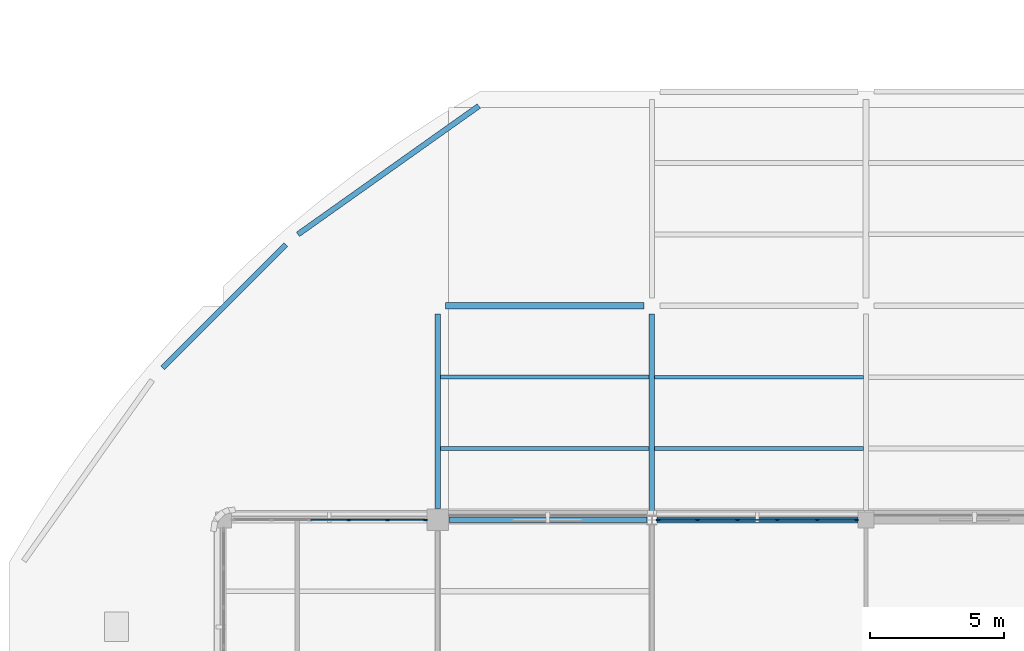
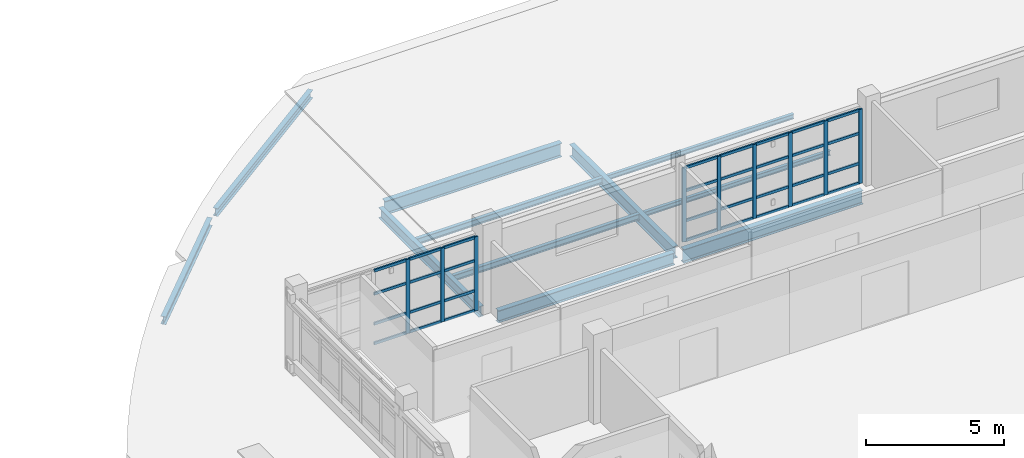
# One storey, part 40 of 126: 41 members, 11 beams, 2 elements without a shape of their own.
"""IFC4 building model written with IfcOpenShell, lengths in metres."""

from ifc_helpers import new_model, si_unit, derived_unit, direction, frame, origin, origin_2d, place, context, subcontext, project, spatial, rectangle, i_section, extrude, material, layer, layer_set, material_profile, profile_set, type_object, element, aggregate, save


model = new_model("IFC4")

# Units and contexts
model_context = context("Model", 3, precision=1e-05, world=origin(), true_north=direction((0.0, 1.0)))
body_context = subcontext(model_context, "Body", "Model", "MODEL_VIEW")
ifc_project = project(units=[si_unit("LENGTHUNIT", "METRE"), si_unit("AREAUNIT", "SQUARE_METRE"), si_unit("VOLUMEUNIT", "CUBIC_METRE"), si_unit("PLANEANGLEUNIT", "RADIAN"), si_unit("MASSUNIT", "GRAM", prefix="KILO"), derived_unit("THERMALTRANSMITTANCEUNIT", [(si_unit("MASSUNIT", "GRAM", prefix="KILO"), 1), (si_unit("TIMEUNIT", "SECOND"), -3), (si_unit("THERMODYNAMICTEMPERATUREUNIT", "KELVIN"), -1)])], contexts=[model_context])

# Site, building, storey
site_placement = place(None, origin())
site = spatial("IfcSite", under=ifc_project, at=site_placement, CompositionType="ELEMENT")
building_placement = place(site_placement, origin())
building = spatial("IfcBuilding", under=site, at=building_placement, Name="Veyamyaing Civic Hall", CompositionType="ELEMENT")
storey_placement = place(building_placement, frame((0.0, 0.0, 9.89990234375)))
storey = spatial("IfcBuildingStorey", under=building, at=storey_placement, Name="L02", CompositionType="ELEMENT", Elevation=9.89990234375)

# Beams
ifc_material_1 = material(Name="Steel ASTM A992", Category="steel")
ifc_material_profile_1 = material_profile(ifc_material_1, i_section(OverallWidth=0.22802734375, OverallDepth=0.60791015625, WebThickness=0.01123046875, FlangeThickness=0.017333984375, FilletRadius=0.012939453125, at=origin_2d()), Name="W610X113")
ifc_profile_set_1 = profile_set([ifc_material_profile_1], Name="Steel ASTM A992")
beam_type_1 = type_object("IfcBeamType", Name="B-06", PredefinedType="BEAM", material=ifc_profile_set_1)
beam_1_placement = place(storey_placement, frame((80.18701171875, 80.0, -0.5888671875), z_axis=(1.0, 0.0, 0.0), x_axis=(0.0, 1.0, 0.0)))
element("IfcBeam", 1, at=beam_1_placement, inside=storey, type_object=beam_type_1, Name="Girder B-06 L02 Grid L 11-12", PredefinedType="BEAM", context=body_context, shape_type="SweptSolid", body=[
    extrude(i_section(OverallWidth=0.22802734375, OverallDepth=0.60791015625, WebThickness=0.01123046875, FlangeThickness=0.017333984375, FilletRadius=0.012939453125, at=origin_2d()), origin(), (0.0, 0.0, 1.0), 7.512939453125),
])
beam_2_placement = place(storey_placement, frame((72.300048828125, 88.0, -0.5439453125), z_axis=(1.0, 0.0, 0.0), x_axis=(0.0, 1.0, 0.0)))
element("IfcBeam", 2, at=beam_2_placement, inside=storey, type_object=beam_type_1, Name="Girder B-06 L02 Grid M 10-11", PredefinedType="BEAM", context=body_context, shape_type="SweptSolid", body=[
    extrude(i_section(OverallWidth=0.22802734375, OverallDepth=0.60791015625, WebThickness=0.01123046875, FlangeThickness=0.017333984375, FilletRadius=0.012939453125, at=origin_2d()), origin(), (0.0, 0.0, 1.0), 7.39990234375),
])
ifc_material_profile_2 = material_profile(ifc_material_1, i_section(OverallWidth=0.208984375, OverallDepth=0.532958984375, WebThickness=0.01025390625, FlangeThickness=0.015625, FilletRadius=0.011962890625, at=origin_2d()), Name="W530X92")
ifc_profile_set_2 = profile_set([ifc_material_profile_2], Name="Steel ASTM A992")
beam_type_2 = type_object("IfcBeamType", Name="B-07", PredefinedType="BEAM", material=ifc_profile_set_2)
beam_3_placement = place(storey_placement, frame((80.0, 80.18603515625, -0.50634765625), z_axis=(0.0, 1.0, 0.0), x_axis=(-1.0, 0.0, 0.0)))
element("IfcBeam", 3, at=beam_3_placement, inside=storey, type_object=beam_type_2, Name="Girder B-07 L02 Grid 11 L-M", PredefinedType="BEAM", context=body_context, shape_type="SweptSolid", body=[
    extrude(i_section(OverallWidth=0.208984375, OverallDepth=0.532958984375, WebThickness=0.01025390625, FlangeThickness=0.015625, FilletRadius=0.011962890625, at=origin_2d()), origin(), (0.0, 0.0, 1.0), 7.513916015625),
])
ifc_material_profile_3 = material_profile(ifc_material_1, i_section(OverallWidth=0.2041015625, OverallDepth=0.35009765625, WebThickness=0.0078125, FlangeThickness=0.01513671875, FilletRadius=0.010009765625, at=origin_2d()), Name="W360X72")
ifc_profile_set_3 = profile_set([ifc_material_profile_3], Name="Steel ASTM A992")
beam_type_3 = type_object("IfcBeamType", Name="B-11", PredefinedType="SPANDREL", material=ifc_profile_set_3)
beam_4_placement = place(storey_placement, frame((73.53466796875, 95.462646484375, -0.4599609375), z_axis=(-0.815567262109, -0.578662285773, 0.0), x_axis=(0.578662285773, -0.815567262109, 0.0)))
element("IfcBeam", 4, at=beam_4_placement, inside=storey, type_object=beam_type_3, Name="Curved corner spandrel B-11 L02 NW.1", PredefinedType="SPANDREL", context=body_context, shape_type="SweptSolid", body=[
    extrude(i_section(OverallWidth=0.2041015625, OverallDepth=0.35009765625, WebThickness=0.0078125, FlangeThickness=0.01513671875, FilletRadius=0.010009765625, at=origin_2d()), origin(), (0.0, 0.0, 1.0), 8.284423828125),
])
beam_5_placement = place(storey_placement, frame((66.3212890625, 90.282958984375, -0.4599609375), z_axis=(-0.707106781187, -0.707106781187, 0.0), x_axis=(0.707106781187, -0.707106781187, 0.0)))
element("IfcBeam", 5, at=beam_5_placement, inside=storey, type_object=beam_type_3, Name="Curved corner spandrel B-11 L02 NW.2", PredefinedType="SPANDREL", context=body_context, shape_type="SweptSolid", body=[
    extrude(i_section(OverallWidth=0.2041015625, OverallDepth=0.35009765625, WebThickness=0.0078125, FlangeThickness=0.01513671875, FilletRadius=0.010009765625, at=origin_2d()), origin(), (0.0, 0.0, 1.0), 6.511474609375),
])
ifc_material_profile_4 = material_profile(ifc_material_1, i_section(OverallWidth=0.2109375, OverallDepth=0.5390625, WebThickness=0.01171875, FlangeThickness=0.018798828125, FilletRadius=0.011962890625, at=origin_2d()), Name="W530X109")
ifc_profile_set_4 = profile_set([ifc_material_profile_4], Name="Steel ASTM A992")
beam_type_4 = type_object("IfcBeamType", Name="B-17", PredefinedType="BEAM", material=ifc_profile_set_4)
beam_6_placement = place(storey_placement, frame((72.425048828125, 80.0, -0.554443359375), z_axis=(1.0, 0.0, 0.0), x_axis=(0.0, 1.0, 0.0)))
element("IfcBeam", 6, at=beam_6_placement, inside=storey, type_object=beam_type_4, Name="Girder B-17 L02 Grid L 10-11", PredefinedType="BEAM", context=body_context, shape_type="SweptSolid", body=[
    extrude(i_section(OverallWidth=0.2109375, OverallDepth=0.5390625, WebThickness=0.01171875, FlangeThickness=0.018798828125, FilletRadius=0.011962890625, at=origin_2d()), origin(), (0.0, 0.0, 1.0), 7.387939453125),
])
ifc_material_profile_5 = material_profile(ifc_material_1, i_section(OverallWidth=0.194091796875, OverallDepth=0.468994140625, WebThickness=0.0126953125, FlangeThickness=0.0205078125, FilletRadius=0.010009765625, at=origin_2d()), Name="W460X106")
ifc_profile_set_5 = profile_set([ifc_material_profile_5], Name="Steel ASTM A992")
beam_type_5 = type_object("IfcBeamType", Name="B-18", PredefinedType="BEAM", material=ifc_profile_set_5)
beam_7_placement = place(storey_placement, frame((72.0, 80.425048828125, -0.474365234375), z_axis=(0.0, 1.0, 0.0), x_axis=(-1.0, 0.0, 0.0)))
element("IfcBeam", 7, at=beam_7_placement, inside=storey, type_object=beam_type_5, Name="Girder B-18 L02 Grid 10 L-M", PredefinedType="BEAM", context=body_context, shape_type="SweptSolid", body=[
    extrude(i_section(OverallWidth=0.194091796875, OverallDepth=0.468994140625, WebThickness=0.0126953125, FlangeThickness=0.0205078125, FilletRadius=0.010009765625, at=origin_2d()), origin(), (0.0, 0.0, 1.0), 7.27490234375),
])

# Curtain wall, members
ifc_material_2 = material(Name="Anodised aluminium 6063-T6", Category="aluminium")
ifc_layer = layer(ifc_material_2, 0.159912109375, Name="Anodised aluminium 6063-T6")
ifc_layer_set = layer_set([ifc_layer], Name="Anodised aluminium 6063-T6")
curtain_wall_type = type_object("IfcCurtainWallType", Name="CW-03", PredefinedType="NOTDEFINED", material=ifc_layer_set)
curtain_wall_1_placement = place(storey_placement, origin())
curtain_wall_1 = element("IfcCurtainWall", 8, at=curtain_wall_1_placement, inside=storey, type_object=curtain_wall_type, Name="Unitized curtain wall CW-03 L02 N 9.10", PredefinedType="NOTDEFINED")
ifc_material_profile_6 = material_profile(ifc_material_2, rectangle(XDim=0.06494140625, YDim=0.159912109375, at=origin_2d()), Name="ALU-MUL-65X160")
ifc_profile_set_6 = profile_set([ifc_material_profile_6], Name="Anodised aluminium 6063-T6")
member_type_1 = type_object("IfcMemberType", Name="CWM-01", PredefinedType="MULLION", material=ifc_profile_set_6)
member_1_placement = place(storey_placement, frame((68.674072265625, 80.0, 0.0), z_axis=(0.0, 0.0, 1.0), x_axis=(0.0, 1.0, 0.0)))
member_1 = element("IfcMember", 9, at=member_1_placement, type_object=member_type_1, Name="CW-03 mullion 4", PredefinedType="MULLION", context=body_context, shape_type="SweptSolid", body=[
    extrude(rectangle(XDim=0.06494140625, YDim=0.159912109375, at=origin_2d()), origin(), (0.0, 0.0, 1.0), 3.280029296875),
])
member_2_placement = place(storey_placement, frame((70.1220703125, 80.0, 0.0), z_axis=(0.0, 0.0, 1.0), x_axis=(0.0, 1.0, 0.0)))
member_2 = element("IfcMember", 10, at=member_2_placement, type_object=member_type_1, Name="CW-03 mullion 5", PredefinedType="MULLION", context=body_context, shape_type="SweptSolid", body=[
    extrude(rectangle(XDim=0.06494140625, YDim=0.159912109375, at=origin_2d()), origin(), (0.0, 0.0, 1.0), 3.280029296875),
])
member_3_placement = place(storey_placement, frame((71.53759765625, 80.0, 0.0), z_axis=(0.0, 0.0, 1.0), x_axis=(0.0, 1.0, 0.0)))
member_3 = element("IfcMember", 11, at=member_3_placement, type_object=member_type_1, Name="CW-03 mullion 6", PredefinedType="MULLION", context=body_context, shape_type="SweptSolid", body=[
    extrude(rectangle(XDim=0.06494140625, YDim=0.159912109375, at=origin_2d()), origin(), (0.0, 0.0, 1.0), 3.280029296875),
])

curtain_wall_2_placement = place(storey_placement, origin())
curtain_wall_2 = element("IfcCurtainWall", 12, at=curtain_wall_2_placement, inside=storey, type_object=curtain_wall_type, Name="Unitized curtain wall CW-03 L02 N 11.10", PredefinedType="NOTDEFINED")
member_4_placement = place(storey_placement, frame((80.248046875, 80.0, 0.0), z_axis=(0.0, 0.0, 1.0), x_axis=(0.0, 1.0, 0.0)))
member_4 = element("IfcMember", 13, at=member_4_placement, type_object=member_type_1, Name="CW-03 mullion 1", PredefinedType="MULLION", context=body_context, shape_type="SweptSolid", body=[
    extrude(rectangle(XDim=0.06494140625, YDim=0.159912109375, at=origin_2d()), origin(), (0.0, 0.0, 1.0), 3.2841796875),
])
member_5_placement = place(storey_placement, frame((81.706298828125, 80.0, 0.0), z_axis=(0.0, 0.0, 1.0), x_axis=(0.0, 1.0, 0.0)))
member_5 = element("IfcMember", 14, at=member_5_placement, type_object=member_type_1, Name="CW-03 mullion 2", PredefinedType="MULLION", context=body_context, shape_type="SweptSolid", body=[
    extrude(rectangle(XDim=0.06494140625, YDim=0.159912109375, at=origin_2d()), origin(), (0.0, 0.0, 1.0), 3.2841796875),
])
member_6_placement = place(storey_placement, frame((83.197265625, 80.0, 0.0), z_axis=(0.0, 0.0, 1.0), x_axis=(0.0, 1.0, 0.0)))
member_6 = element("IfcMember", 15, at=member_6_placement, type_object=member_type_1, Name="CW-03 mullion 3", PredefinedType="MULLION", context=body_context, shape_type="SweptSolid", body=[
    extrude(rectangle(XDim=0.06494140625, YDim=0.159912109375, at=origin_2d()), origin(), (0.0, 0.0, 1.0), 3.2841796875),
])
member_7_placement = place(storey_placement, frame((84.688232421875, 80.0, 0.0), z_axis=(0.0, 0.0, 1.0), x_axis=(0.0, 1.0, 0.0)))
member_7 = element("IfcMember", 16, at=member_7_placement, type_object=member_type_1, Name="CW-03 mullion 4", PredefinedType="MULLION", context=body_context, shape_type="SweptSolid", body=[
    extrude(rectangle(XDim=0.06494140625, YDim=0.159912109375, at=origin_2d()), origin(), (0.0, 0.0, 1.0), 3.2841796875),
])
member_8_placement = place(storey_placement, frame((86.17919921875, 80.0, 0.0), z_axis=(0.0, 0.0, 1.0), x_axis=(0.0, 1.0, 0.0)))
member_8 = element("IfcMember", 17, at=member_8_placement, type_object=member_type_1, Name="CW-03 mullion 5", PredefinedType="MULLION", context=body_context, shape_type="SweptSolid", body=[
    extrude(rectangle(XDim=0.06494140625, YDim=0.159912109375, at=origin_2d()), origin(), (0.0, 0.0, 1.0), 3.2841796875),
])
member_9_placement = place(storey_placement, frame((87.637451171875, 80.0, 0.0), z_axis=(0.0, 0.0, 1.0), x_axis=(0.0, 1.0, 0.0)))
member_9 = element("IfcMember", 18, at=member_9_placement, type_object=member_type_1, Name="CW-03 mullion 6", PredefinedType="MULLION", context=body_context, shape_type="SweptSolid", body=[
    extrude(rectangle(XDim=0.06494140625, YDim=0.159912109375, at=origin_2d()), origin(), (0.0, 0.0, 1.0), 3.2841796875),
])

# Member
ifc_material_profile_7 = material_profile(ifc_material_2, rectangle(XDim=0.06494140625, YDim=0.1201171875, at=origin_2d()), Name="ALU-TRN-65X120")
ifc_profile_set_7 = profile_set([ifc_material_profile_7], Name="Anodised aluminium 6063-T6")
member_type_2 = type_object("IfcMemberType", Name="CWT-01", PredefinedType="USERDEFINED", material=ifc_profile_set_7)
member_10_placement = place(storey_placement, frame((67.258544921875, 80.0, 0.03271484375), z_axis=(1.0, 0.0, 0.0), x_axis=(0.0, 1.0, 0.0)))
member_10 = element("IfcMember", 19, at=member_10_placement, type_object=member_type_2, Name="CW-03 transom 3.1", ObjectType="TRANSOM", PredefinedType="USERDEFINED", context=body_context, shape_type="SweptSolid", body=[
    extrude(rectangle(XDim=0.06494140625, YDim=0.1201171875, at=origin_2d()), origin(), (0.0, 0.0, 1.0), 1.383056640625),
])

member_11_placement = place(storey_placement, frame((67.258544921875, 80.0, 0.900146484375), z_axis=(1.0, 0.0, 0.0), x_axis=(0.0, 1.0, 0.0)))
member_11 = element("IfcMember", 20, at=member_11_placement, type_object=member_type_2, Name="CW-03 transom 3.2", ObjectType="TRANSOM", PredefinedType="USERDEFINED", context=body_context, shape_type="SweptSolid", body=[
    extrude(rectangle(XDim=0.06494140625, YDim=0.1201171875, at=origin_2d()), origin(), (0.0, 0.0, 1.0), 1.383056640625),
])

member_12_placement = place(storey_placement, frame((67.258544921875, 80.0, 2.23046875), z_axis=(1.0, 0.0, 0.0), x_axis=(0.0, 1.0, 0.0)))
member_12 = element("IfcMember", 21, at=member_12_placement, type_object=member_type_2, Name="CW-03 transom 3.3", ObjectType="TRANSOM", PredefinedType="USERDEFINED", context=body_context, shape_type="SweptSolid", body=[
    extrude(rectangle(XDim=0.06494140625, YDim=0.1201171875, at=origin_2d()), origin(), (0.0, 0.0, 1.0), 1.383056640625),
])

member_13_placement = place(storey_placement, frame((67.258544921875, 80.0, 3.24755859375), z_axis=(1.0, 0.0, 0.0), x_axis=(0.0, 1.0, 0.0)))
member_13 = element("IfcMember", 22, at=member_13_placement, type_object=member_type_2, Name="CW-03 transom 3.4", ObjectType="TRANSOM", PredefinedType="USERDEFINED", context=body_context, shape_type="SweptSolid", body=[
    extrude(rectangle(XDim=0.06494140625, YDim=0.1201171875, at=origin_2d()), origin(), (0.0, 0.0, 1.0), 1.383056640625),
])

member_14_placement = place(storey_placement, frame((68.70654296875, 80.0, 0.03271484375), z_axis=(1.0, 0.0, 0.0), x_axis=(0.0, 1.0, 0.0)))
member_14 = element("IfcMember", 23, at=member_14_placement, type_object=member_type_2, Name="CW-03 transom 4.1", ObjectType="TRANSOM", PredefinedType="USERDEFINED", context=body_context, shape_type="SweptSolid", body=[
    extrude(rectangle(XDim=0.06494140625, YDim=0.1201171875, at=origin_2d()), origin(), (0.0, 0.0, 1.0), 1.383056640625),
])

member_15_placement = place(storey_placement, frame((68.70654296875, 80.0, 0.900146484375), z_axis=(1.0, 0.0, 0.0), x_axis=(0.0, 1.0, 0.0)))
member_15 = element("IfcMember", 24, at=member_15_placement, type_object=member_type_2, Name="CW-03 transom 4.2", ObjectType="TRANSOM", PredefinedType="USERDEFINED", context=body_context, shape_type="SweptSolid", body=[
    extrude(rectangle(XDim=0.06494140625, YDim=0.1201171875, at=origin_2d()), origin(), (0.0, 0.0, 1.0), 1.383056640625),
])

member_16_placement = place(storey_placement, frame((68.70654296875, 80.0, 2.23046875), z_axis=(1.0, 0.0, 0.0), x_axis=(0.0, 1.0, 0.0)))
member_16 = element("IfcMember", 25, at=member_16_placement, type_object=member_type_2, Name="CW-03 transom 4.3", ObjectType="TRANSOM", PredefinedType="USERDEFINED", context=body_context, shape_type="SweptSolid", body=[
    extrude(rectangle(XDim=0.06494140625, YDim=0.1201171875, at=origin_2d()), origin(), (0.0, 0.0, 1.0), 1.383056640625),
])

member_17_placement = place(storey_placement, frame((68.70654296875, 80.0, 3.24755859375), z_axis=(1.0, 0.0, 0.0), x_axis=(0.0, 1.0, 0.0)))
member_17 = element("IfcMember", 26, at=member_17_placement, type_object=member_type_2, Name="CW-03 transom 4.4", ObjectType="TRANSOM", PredefinedType="USERDEFINED", context=body_context, shape_type="SweptSolid", body=[
    extrude(rectangle(XDim=0.06494140625, YDim=0.1201171875, at=origin_2d()), origin(), (0.0, 0.0, 1.0), 1.383056640625),
])

member_18_placement = place(storey_placement, frame((70.154541015625, 80.0, 0.03271484375), z_axis=(1.0, 0.0, 0.0), x_axis=(0.0, 1.0, 0.0)))
member_18 = element("IfcMember", 27, at=member_18_placement, type_object=member_type_2, Name="CW-03 transom 5.1", ObjectType="TRANSOM", PredefinedType="USERDEFINED", context=body_context, shape_type="SweptSolid", body=[
    extrude(rectangle(XDim=0.06494140625, YDim=0.1201171875, at=origin_2d()), origin(), (0.0, 0.0, 1.0), 1.350341796875),
])

member_19_placement = place(storey_placement, frame((70.154541015625, 80.0, 0.900146484375), z_axis=(1.0, 0.0, 0.0), x_axis=(0.0, 1.0, 0.0)))
member_19 = element("IfcMember", 28, at=member_19_placement, type_object=member_type_2, Name="CW-03 transom 5.2", ObjectType="TRANSOM", PredefinedType="USERDEFINED", context=body_context, shape_type="SweptSolid", body=[
    extrude(rectangle(XDim=0.06494140625, YDim=0.1201171875, at=origin_2d()), origin(), (0.0, 0.0, 1.0), 1.350341796875),
])

member_20_placement = place(storey_placement, frame((70.154541015625, 80.0, 2.23046875), z_axis=(1.0, 0.0, 0.0), x_axis=(0.0, 1.0, 0.0)))
member_20 = element("IfcMember", 29, at=member_20_placement, type_object=member_type_2, Name="CW-03 transom 5.3", ObjectType="TRANSOM", PredefinedType="USERDEFINED", context=body_context, shape_type="SweptSolid", body=[
    extrude(rectangle(XDim=0.06494140625, YDim=0.1201171875, at=origin_2d()), origin(), (0.0, 0.0, 1.0), 1.350341796875),
])

member_21_placement = place(storey_placement, frame((70.154541015625, 80.0, 3.24755859375), z_axis=(1.0, 0.0, 0.0), x_axis=(0.0, 1.0, 0.0)))
member_21 = element("IfcMember", 30, at=member_21_placement, type_object=member_type_2, Name="CW-03 transom 5.4", ObjectType="TRANSOM", PredefinedType="USERDEFINED", context=body_context, shape_type="SweptSolid", body=[
    extrude(rectangle(XDim=0.06494140625, YDim=0.1201171875, at=origin_2d()), origin(), (0.0, 0.0, 1.0), 1.350341796875),
])

aggregate(curtain_wall_1, [member_1, member_2, member_3, member_10, member_11, member_12, member_13, member_14, member_15, member_16, member_17, member_18, member_19, member_20, member_21])

member_22_placement = place(storey_placement, frame((80.280517578125, 80.0, 0.03271484375), z_axis=(1.0, 0.0, 0.0), x_axis=(0.0, 1.0, 0.0)))
member_22 = element("IfcMember", 31, at=member_22_placement, type_object=member_type_2, Name="CW-03 transom 1.1", ObjectType="TRANSOM", PredefinedType="USERDEFINED", context=body_context, shape_type="SweptSolid", body=[
    extrude(rectangle(XDim=0.06494140625, YDim=0.1201171875, at=origin_2d()), origin(), (0.0, 0.0, 1.0), 1.393310546875),
])

member_23_placement = place(storey_placement, frame((80.280517578125, 80.0, 0.900146484375), z_axis=(1.0, 0.0, 0.0), x_axis=(0.0, 1.0, 0.0)))
member_23 = element("IfcMember", 32, at=member_23_placement, type_object=member_type_2, Name="CW-03 transom 1.2", ObjectType="TRANSOM", PredefinedType="USERDEFINED", context=body_context, shape_type="SweptSolid", body=[
    extrude(rectangle(XDim=0.06494140625, YDim=0.1201171875, at=origin_2d()), origin(), (0.0, 0.0, 1.0), 1.393310546875),
])

member_24_placement = place(storey_placement, frame((80.280517578125, 80.0, 2.233154296875), z_axis=(1.0, 0.0, 0.0), x_axis=(0.0, 1.0, 0.0)))
member_24 = element("IfcMember", 33, at=member_24_placement, type_object=member_type_2, Name="CW-03 transom 1.3", ObjectType="TRANSOM", PredefinedType="USERDEFINED", context=body_context, shape_type="SweptSolid", body=[
    extrude(rectangle(XDim=0.06494140625, YDim=0.1201171875, at=origin_2d()), origin(), (0.0, 0.0, 1.0), 1.393310546875),
])

member_25_placement = place(storey_placement, frame((80.280517578125, 80.0, 3.251708984375), z_axis=(1.0, 0.0, 0.0), x_axis=(0.0, 1.0, 0.0)))
member_25 = element("IfcMember", 34, at=member_25_placement, type_object=member_type_2, Name="CW-03 transom 1.4", ObjectType="TRANSOM", PredefinedType="USERDEFINED", context=body_context, shape_type="SweptSolid", body=[
    extrude(rectangle(XDim=0.06494140625, YDim=0.1201171875, at=origin_2d()), origin(), (0.0, 0.0, 1.0), 1.393310546875),
])

member_26_placement = place(storey_placement, frame((81.739013671875, 80.0, 0.03271484375), z_axis=(1.0, 0.0, 0.0), x_axis=(0.0, 1.0, 0.0)))
member_26 = element("IfcMember", 35, at=member_26_placement, type_object=member_type_2, Name="CW-03 transom 2.1", ObjectType="TRANSOM", PredefinedType="USERDEFINED", context=body_context, shape_type="SweptSolid", body=[
    extrude(rectangle(XDim=0.06494140625, YDim=0.1201171875, at=origin_2d()), origin(), (0.0, 0.0, 1.0), 1.42578125),
])

member_27_placement = place(storey_placement, frame((81.739013671875, 80.0, 0.900146484375), z_axis=(1.0, 0.0, 0.0), x_axis=(0.0, 1.0, 0.0)))
member_27 = element("IfcMember", 36, at=member_27_placement, type_object=member_type_2, Name="CW-03 transom 2.2", ObjectType="TRANSOM", PredefinedType="USERDEFINED", context=body_context, shape_type="SweptSolid", body=[
    extrude(rectangle(XDim=0.06494140625, YDim=0.1201171875, at=origin_2d()), origin(), (0.0, 0.0, 1.0), 1.42578125),
])

member_28_placement = place(storey_placement, frame((81.739013671875, 80.0, 2.233154296875), z_axis=(1.0, 0.0, 0.0), x_axis=(0.0, 1.0, 0.0)))
member_28 = element("IfcMember", 37, at=member_28_placement, type_object=member_type_2, Name="CW-03 transom 2.3", ObjectType="TRANSOM", PredefinedType="USERDEFINED", context=body_context, shape_type="SweptSolid", body=[
    extrude(rectangle(XDim=0.06494140625, YDim=0.1201171875, at=origin_2d()), origin(), (0.0, 0.0, 1.0), 1.42578125),
])

member_29_placement = place(storey_placement, frame((81.739013671875, 80.0, 3.251708984375), z_axis=(1.0, 0.0, 0.0), x_axis=(0.0, 1.0, 0.0)))
member_29 = element("IfcMember", 38, at=member_29_placement, type_object=member_type_2, Name="CW-03 transom 2.4", ObjectType="TRANSOM", PredefinedType="USERDEFINED", context=body_context, shape_type="SweptSolid", body=[
    extrude(rectangle(XDim=0.06494140625, YDim=0.1201171875, at=origin_2d()), origin(), (0.0, 0.0, 1.0), 1.42578125),
])

member_30_placement = place(storey_placement, frame((83.229736328125, 80.0, 0.03271484375), z_axis=(1.0, 0.0, 0.0), x_axis=(0.0, 1.0, 0.0)))
member_30 = element("IfcMember", 39, at=member_30_placement, type_object=member_type_2, Name="CW-03 transom 3.1", ObjectType="TRANSOM", PredefinedType="USERDEFINED", context=body_context, shape_type="SweptSolid", body=[
    extrude(rectangle(XDim=0.06494140625, YDim=0.1201171875, at=origin_2d()), origin(), (0.0, 0.0, 1.0), 1.426025390625),
])

member_31_placement = place(storey_placement, frame((83.229736328125, 80.0, 0.900146484375), z_axis=(1.0, 0.0, 0.0), x_axis=(0.0, 1.0, 0.0)))
member_31 = element("IfcMember", 40, at=member_31_placement, type_object=member_type_2, Name="CW-03 transom 3.2", ObjectType="TRANSOM", PredefinedType="USERDEFINED", context=body_context, shape_type="SweptSolid", body=[
    extrude(rectangle(XDim=0.06494140625, YDim=0.1201171875, at=origin_2d()), origin(), (0.0, 0.0, 1.0), 1.426025390625),
])

member_32_placement = place(storey_placement, frame((83.229736328125, 80.0, 2.233154296875), z_axis=(1.0, 0.0, 0.0), x_axis=(0.0, 1.0, 0.0)))
member_32 = element("IfcMember", 41, at=member_32_placement, type_object=member_type_2, Name="CW-03 transom 3.3", ObjectType="TRANSOM", PredefinedType="USERDEFINED", context=body_context, shape_type="SweptSolid", body=[
    extrude(rectangle(XDim=0.06494140625, YDim=0.1201171875, at=origin_2d()), origin(), (0.0, 0.0, 1.0), 1.426025390625),
])

member_33_placement = place(storey_placement, frame((83.229736328125, 80.0, 3.251708984375), z_axis=(1.0, 0.0, 0.0), x_axis=(0.0, 1.0, 0.0)))
member_33 = element("IfcMember", 42, at=member_33_placement, type_object=member_type_2, Name="CW-03 transom 3.4", ObjectType="TRANSOM", PredefinedType="USERDEFINED", context=body_context, shape_type="SweptSolid", body=[
    extrude(rectangle(XDim=0.06494140625, YDim=0.1201171875, at=origin_2d()), origin(), (0.0, 0.0, 1.0), 1.426025390625),
])

member_34_placement = place(storey_placement, frame((84.720703125, 80.0, 0.03271484375), z_axis=(1.0, 0.0, 0.0), x_axis=(0.0, 1.0, 0.0)))
member_34 = element("IfcMember", 43, at=member_34_placement, type_object=member_type_2, Name="CW-03 transom 4.1", ObjectType="TRANSOM", PredefinedType="USERDEFINED", context=body_context, shape_type="SweptSolid", body=[
    extrude(rectangle(XDim=0.06494140625, YDim=0.1201171875, at=origin_2d()), origin(), (0.0, 0.0, 1.0), 1.42578125),
])

member_35_placement = place(storey_placement, frame((84.720703125, 80.0, 0.900146484375), z_axis=(1.0, 0.0, 0.0), x_axis=(0.0, 1.0, 0.0)))
member_35 = element("IfcMember", 44, at=member_35_placement, type_object=member_type_2, Name="CW-03 transom 4.2", ObjectType="TRANSOM", PredefinedType="USERDEFINED", context=body_context, shape_type="SweptSolid", body=[
    extrude(rectangle(XDim=0.06494140625, YDim=0.1201171875, at=origin_2d()), origin(), (0.0, 0.0, 1.0), 1.42578125),
])

member_36_placement = place(storey_placement, frame((84.720703125, 80.0, 2.233154296875), z_axis=(1.0, 0.0, 0.0), x_axis=(0.0, 1.0, 0.0)))
member_36 = element("IfcMember", 45, at=member_36_placement, type_object=member_type_2, Name="CW-03 transom 4.3", ObjectType="TRANSOM", PredefinedType="USERDEFINED", context=body_context, shape_type="SweptSolid", body=[
    extrude(rectangle(XDim=0.06494140625, YDim=0.1201171875, at=origin_2d()), origin(), (0.0, 0.0, 1.0), 1.42578125),
])

member_37_placement = place(storey_placement, frame((84.720703125, 80.0, 3.251708984375), z_axis=(1.0, 0.0, 0.0), x_axis=(0.0, 1.0, 0.0)))
member_37 = element("IfcMember", 46, at=member_37_placement, type_object=member_type_2, Name="CW-03 transom 4.4", ObjectType="TRANSOM", PredefinedType="USERDEFINED", context=body_context, shape_type="SweptSolid", body=[
    extrude(rectangle(XDim=0.06494140625, YDim=0.1201171875, at=origin_2d()), origin(), (0.0, 0.0, 1.0), 1.42578125),
])

member_38_placement = place(storey_placement, frame((86.211669921875, 80.0, 0.03271484375), z_axis=(1.0, 0.0, 0.0), x_axis=(0.0, 1.0, 0.0)))
member_38 = element("IfcMember", 47, at=member_38_placement, type_object=member_type_2, Name="CW-03 transom 5.1", ObjectType="TRANSOM", PredefinedType="USERDEFINED", context=body_context, shape_type="SweptSolid", body=[
    extrude(rectangle(XDim=0.06494140625, YDim=0.1201171875, at=origin_2d()), origin(), (0.0, 0.0, 1.0), 1.393310546875),
])

member_39_placement = place(storey_placement, frame((86.211669921875, 80.0, 0.900146484375), z_axis=(1.0, 0.0, 0.0), x_axis=(0.0, 1.0, 0.0)))
member_39 = element("IfcMember", 48, at=member_39_placement, type_object=member_type_2, Name="CW-03 transom 5.2", ObjectType="TRANSOM", PredefinedType="USERDEFINED", context=body_context, shape_type="SweptSolid", body=[
    extrude(rectangle(XDim=0.06494140625, YDim=0.1201171875, at=origin_2d()), origin(), (0.0, 0.0, 1.0), 1.393310546875),
])

member_40_placement = place(storey_placement, frame((86.211669921875, 80.0, 2.233154296875), z_axis=(1.0, 0.0, 0.0), x_axis=(0.0, 1.0, 0.0)))
member_40 = element("IfcMember", 49, at=member_40_placement, type_object=member_type_2, Name="CW-03 transom 5.3", ObjectType="TRANSOM", PredefinedType="USERDEFINED", context=body_context, shape_type="SweptSolid", body=[
    extrude(rectangle(XDim=0.06494140625, YDim=0.1201171875, at=origin_2d()), origin(), (0.0, 0.0, 1.0), 1.393310546875),
])

member_41_placement = place(storey_placement, frame((86.211669921875, 80.0, 3.251708984375), z_axis=(1.0, 0.0, 0.0), x_axis=(0.0, 1.0, 0.0)))
member_41 = element("IfcMember", 50, at=member_41_placement, type_object=member_type_2, Name="CW-03 transom 5.4", ObjectType="TRANSOM", PredefinedType="USERDEFINED", context=body_context, shape_type="SweptSolid", body=[
    extrude(rectangle(XDim=0.06494140625, YDim=0.1201171875, at=origin_2d()), origin(), (0.0, 0.0, 1.0), 1.393310546875),
])

aggregate(curtain_wall_2, [member_4, member_5, member_6, member_7, member_8, member_9, member_22, member_23, member_24, member_25, member_26, member_27, member_28, member_29, member_30, member_31, member_32, member_33, member_34, member_35, member_36, member_37, member_38, member_39, member_40, member_41])

# Beams
ifc_material_profile_8 = material_profile(ifc_material_1, i_section(OverallWidth=0.14794921875, OverallDepth=0.26611328125, WebThickness=0.007568359375, FlangeThickness=0.012939453125, FilletRadius=0.010009765625, at=origin_2d()), Name="W250X45")
ifc_profile_set_8 = profile_set([ifc_material_profile_8], Name="Steel ASTM A992")
beam_type_6 = type_object("IfcBeamType", Name="J-07", PredefinedType="JOIST", material=ifc_profile_set_8)
for number, where, z_axis, x_axis, name in (
    (51, (72.094970703125, 82.666748046875, -0.372802734375), (1.0, 0.0, 0.0), (0.0, 1.0, 0.0), "Composite floor joist J-07 L02 10.11.1"),
    (52, (72.094970703125, 85.333251953125, -0.372802734375), (1.0, 0.0, 0.0), (0.0, 1.0, 0.0), "Composite floor joist J-07 L02 10.11.2"),
):
    element("IfcBeam", number, at=place(storey_placement, frame(where, z_axis=z_axis, x_axis=x_axis)), inside=storey, type_object=beam_type_6, Name=name, PredefinedType="JOIST", context=body_context, shape_type="SweptSolid", body=[
        extrude(i_section(OverallWidth=0.14794921875, OverallDepth=0.26611328125, WebThickness=0.007568359375, FlangeThickness=0.012939453125, FilletRadius=0.010009765625, at=origin_2d()), origin(), (0.0, 0.0, 1.0), 7.802490234375),
    ])
ifc_material_profile_9 = material_profile(ifc_material_1, i_section(OverallWidth=0.133056640625, OverallDepth=0.20703125, WebThickness=0.005859375, FlangeThickness=0.00830078125, FilletRadius=0.010009765625, at=origin_2d()), Name="W200X27")
ifc_profile_set_9 = profile_set([ifc_material_profile_9], Name="Steel ASTM A992")
beam_type_7 = type_object("IfcBeamType", Name="J-08", PredefinedType="JOIST", material=ifc_profile_set_9)
for number, where, z_axis, x_axis, name in (
    (53, (80.1025390625, 82.666748046875, -0.343505859375), (1.0, 0.0, 0.0), (0.0, 1.0, 0.0), "Composite floor joist J-08 L02 11.11.1"),
    (54, (80.1025390625, 85.333251953125, -0.343505859375), (1.0, 0.0, 0.0), (0.0, 1.0, 0.0), "Composite floor joist J-08 L02 11.11.2"),
):
    element("IfcBeam", number, at=place(storey_placement, frame(where, z_axis=z_axis, x_axis=x_axis)), inside=storey, type_object=beam_type_7, Name=name, PredefinedType="JOIST", context=body_context, shape_type="SweptSolid", body=[
        extrude(i_section(OverallWidth=0.133056640625, OverallDepth=0.20703125, WebThickness=0.005859375, FlangeThickness=0.00830078125, FilletRadius=0.010009765625, at=origin_2d()), origin(), (0.0, 0.0, 1.0), 7.803466796875),
    ])

save(model, "model.ifc")
